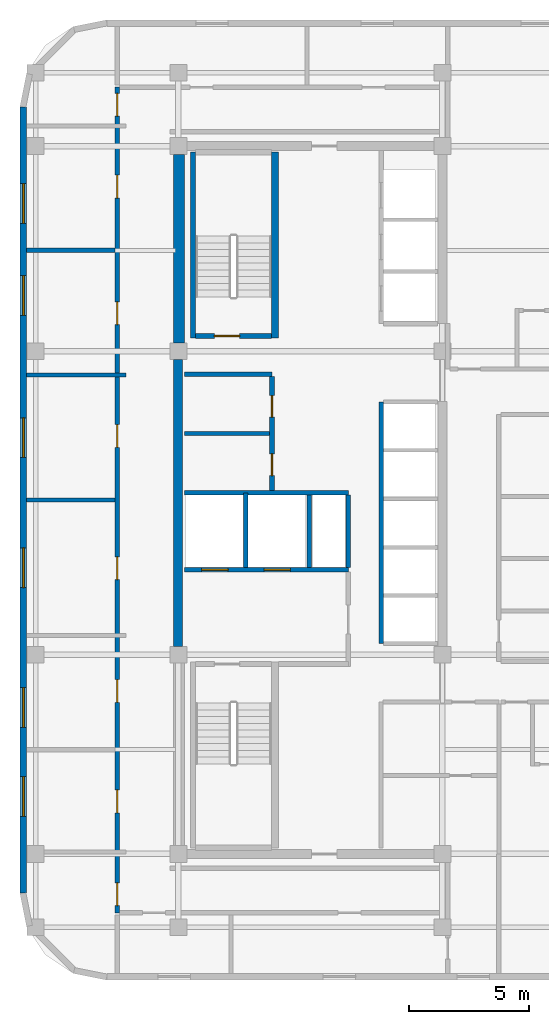
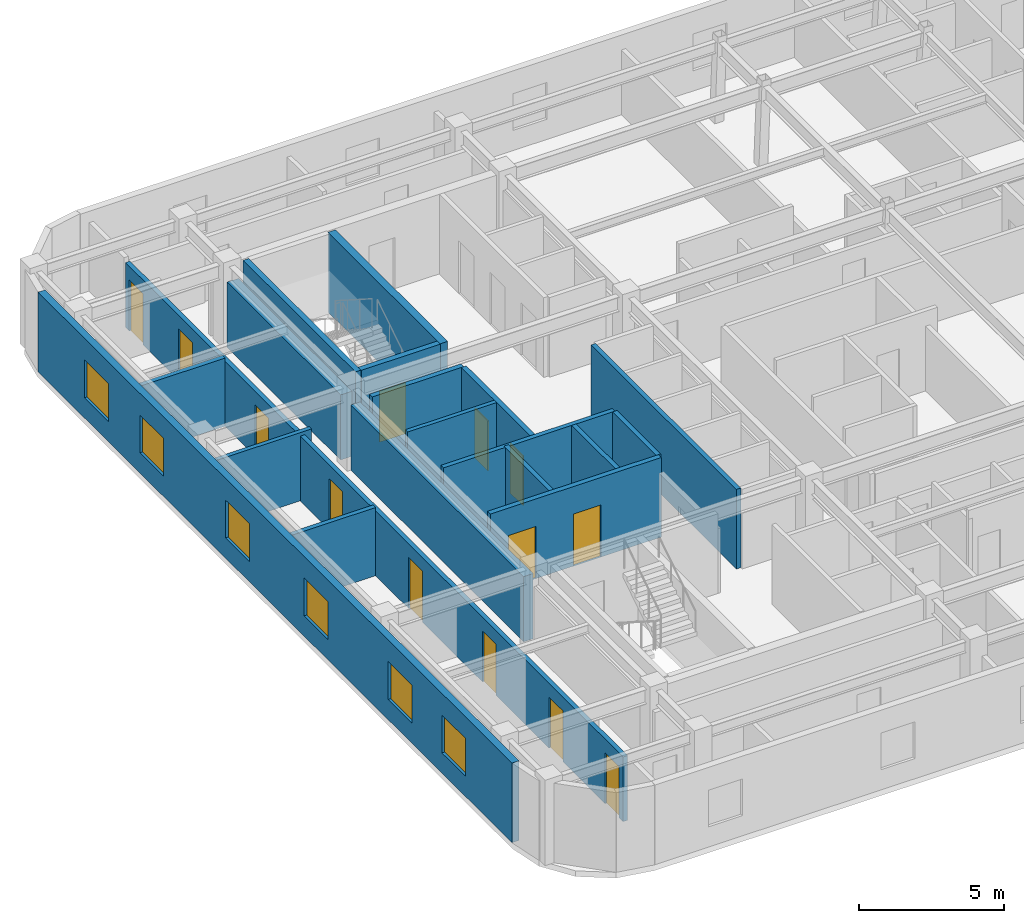
# One storey, part 4 of 8: 19 walls, 13 doors, 6 windows, 19 openings.
"""IFC4 building model written with IfcOpenShell, lengths in metres."""

from ifc_helpers import new_model, si_unit, direction, frame, frame_2d, origin, place, context, subcontext, project, spatial, rectangle, extrude, material, layer, layer_set, type_object, element, fill, save


model = new_model("IFC4")

# Units and contexts
model_context = context("Model", 3, precision=1e-05, world=origin(), true_north=direction((0.0, 1.0)))
body_context = subcontext(model_context, "Body", "Model", "MODEL_VIEW")
ifc_project = project(units=[si_unit("LENGTHUNIT", "METRE"), si_unit("AREAUNIT", "SQUARE_METRE"), si_unit("VOLUMEUNIT", "CUBIC_METRE"), si_unit("PLANEANGLEUNIT", "RADIAN"), si_unit("MASSUNIT", "GRAM", prefix="KILO")], contexts=[model_context])

# Site, building, storey
site_placement = place(None, origin())
site = spatial("IfcSite", under=ifc_project, at=site_placement, CompositionType="ELEMENT")
building_placement = place(site_placement, origin())
building = spatial("IfcBuilding", under=site, at=building_placement, Name="Ochreholt Gables", CompositionType="ELEMENT")
storey_placement = place(building_placement, frame((0.0, 0.0, 159.0)))
storey = spatial("IfcBuildingStorey", under=building, at=storey_placement, Name="L41", CompositionType="ELEMENT", Elevation=159.0)

# Walls
ifc_material_1 = material(Name="Concrete 50 MPa", Category="concrete")
ifc_layer_1 = layer(ifc_material_1, 0.3798828125, Name="Concrete 50 MPa")
ifc_layer_set_1 = layer_set([ifc_layer_1], Name="Concrete 50 MPa")
wall_type_1 = type_object("IfcWallType", Name="WALL-CSW-380", PredefinedType="SHEAR", material=ifc_layer_set_1)
wall_1_placement = place(storey_placement, frame((24.18994140625, 17.89990234375, 0.0), z_axis=(0.0, 0.0, 1.0), x_axis=(0.0, 1.0, 0.0)))
element("IfcWall", 1, at=wall_1_placement, inside=storey, type_object=wall_type_1, Name="L41 Core West Shear Wall WM", PredefinedType="SHEAR", context=body_context, shape_type="SweptSolid", body=[
    extrude(rectangle(XDim=11.9501953125, YDim=0.3798828125, at=frame_2d((5.97509765625, 0.0))), origin(), (0.0, 0.0, 1.0), 2.748046875),
])
ifc_material_2 = material(Name="Concrete 60 MPa", Category="concrete")
ifc_layer_2 = layer(ifc_material_2, 0.449951171875, Name="Concrete 60 MPa")
ifc_layer_set_2 = layer_set([ifc_layer_2], Name="Concrete 60 MPa")
wall_type_2 = type_object("IfcWallType", Name="WALL-CSW-450", PredefinedType="SHEAR", material=ifc_layer_set_2)
wall_2_placement = place(storey_placement, frame((24.22509765625, 30.550048828125, 0.0), z_axis=(0.0, 0.0, 1.0), x_axis=(0.0, 1.0, 0.0)))
element("IfcWall", 2, at=wall_2_placement, inside=storey, type_object=wall_type_2, Name="L41 Core West Shear Wall WN", PredefinedType="SHEAR", context=body_context, shape_type="SweptSolid", body=[
    extrude(rectangle(XDim=7.849853515625, YDim=0.449951171875, at=frame_2d((3.9248046875, 0.0))), origin(), (0.0, 0.0, 1.0), 2.748046875),
])

# Wall, openings, windows
ifc_material_3 = material(Name="Precast concrete 40 MPa", Category="concrete")
ifc_layer_3 = layer(ifc_material_3, 0.280029296875, Name="Precast concrete 40 MPa")
ifc_layer_set_3 = layer_set([ifc_layer_3], Name="Precast concrete 40 MPa")
wall_type_3 = type_object("IfcWallType", Name="WALL-EXT-280", PredefinedType="SOLIDWALL", material=ifc_layer_set_3)
wall_3_placement = place(storey_placement, frame((17.739990234375, 40.3798828125, 0.0), z_axis=(0.0, 0.0, 1.0), x_axis=(0.0, -1.0, 0.0)))
wall_3 = element("IfcWall", 3, at=wall_3_placement, inside=storey, type_object=wall_type_3, Name="L41 West Exterior Wall", PredefinedType="SOLIDWALL", context=body_context, shape_type="SweptSolid", body=[
    extrude(rectangle(XDim=32.759765625, YDim=0.280029296875, at=frame_2d((16.3798828125, 0.0))), origin(), (0.0, 0.0, 1.0), 3.360107421875),
])
opening_1_placement = place(wall_3_placement, frame((27.909912109375, 0.0, 0.85009765625)))
opening_1 = element("IfcOpeningElement", 4, at=opening_1_placement, cuts=wall_3, Name="Opening WN-7", PredefinedType="OPENING", context=body_context, shape_type="SweptSolid", body=[
    extrude(rectangle(XDim=1.64990234375, YDim=1.60009765625, at=frame_2d((0.824951171875, 0.800048828125))), frame((0.0, 0.14990234375, 0.0), z_axis=(0.0, -1.0, 0.0), x_axis=(1.0, 0.0, 0.0)), (0.0, 0.0, 1.0), 0.300048828125),
])
opening_2_placement = place(wall_3_placement, frame((24.199951171875, 0.0, 0.85009765625)))
opening_2 = element("IfcOpeningElement", 5, at=opening_2_placement, cuts=wall_3, Name="Opening WN-7", PredefinedType="OPENING", context=body_context, shape_type="SweptSolid", body=[
    extrude(rectangle(XDim=1.64990234375, YDim=1.60009765625, at=frame_2d((0.824951171875, 0.800048828125))), frame((0.0, 0.14990234375, 0.0), z_axis=(0.0, -1.0, 0.0), x_axis=(1.0, 0.0, 0.0)), (0.0, 0.0, 1.0), 0.300048828125),
])
opening_3_placement = place(wall_3_placement, frame((18.3798828125, 0.0, 0.85009765625)))
opening_3 = element("IfcOpeningElement", 6, at=opening_3_placement, cuts=wall_3, Name="Opening WN-7", PredefinedType="OPENING", context=body_context, shape_type="SweptSolid", body=[
    extrude(rectangle(XDim=1.64990234375, YDim=1.60009765625, at=frame_2d((0.824951171875, 0.800048828125))), frame((0.0, 0.14990234375, 0.0), z_axis=(0.0, -1.0, 0.0), x_axis=(1.0, 0.0, 0.0)), (0.0, 0.0, 1.0), 0.300048828125),
])
opening_4_placement = place(wall_3_placement, frame((12.955078125, 0.0, 0.85009765625)))
opening_4 = element("IfcOpeningElement", 7, at=opening_4_placement, cuts=wall_3, Name="Opening WN-7", PredefinedType="OPENING", context=body_context, shape_type="SweptSolid", body=[
    extrude(rectangle(XDim=1.64990234375, YDim=1.60009765625, at=frame_2d((0.824951171875, 0.800048828125))), frame((0.0, 0.14990234375, 0.0), z_axis=(0.0, -1.0, 0.0), x_axis=(1.0, 0.0, 0.0)), (0.0, 0.0, 1.0), 0.300048828125),
])
opening_5_placement = place(wall_3_placement, frame((7.034912109375, 0.0, 0.85009765625)))
opening_5 = element("IfcOpeningElement", 8, at=opening_5_placement, cuts=wall_3, Name="Opening WN-7", PredefinedType="OPENING", context=body_context, shape_type="SweptSolid", body=[
    extrude(rectangle(XDim=1.64990234375, YDim=1.60009765625, at=frame_2d((0.824951171875, 0.800048828125))), frame((0.0, 0.14990234375, 0.0), z_axis=(0.0, -1.0, 0.0), x_axis=(1.0, 0.0, 0.0)), (0.0, 0.0, 1.0), 0.300048828125),
])
opening_6_placement = place(wall_3_placement, frame((3.199951171875, 0.0, 0.85009765625)))
opening_6 = element("IfcOpeningElement", 9, at=opening_6_placement, cuts=wall_3, Name="Opening WN-7", PredefinedType="OPENING", context=body_context, shape_type="SweptSolid", body=[
    extrude(rectangle(XDim=1.64990234375, YDim=1.60009765625, at=frame_2d((0.824951171875, 0.800048828125))), frame((0.0, 0.14990234375, 0.0), z_axis=(0.0, -1.0, 0.0), x_axis=(1.0, 0.0, 0.0)), (0.0, 0.0, 1.0), 0.300048828125),
])
ifc_material_4 = material(Name="Triple-Glazed Thermally Broken Aluminium Window", Category="aluminium")
window_type = type_object("IfcWindowType", Name="WIN-RES-1650", PartitioningType="SINGLE_PANEL", PredefinedType="WINDOW", material=ifc_material_4)
window_1_placement = place(opening_1_placement, origin())
window_1 = element("IfcWindow", 10, at=window_1_placement, inside=storey, type_object=window_type, Name="L41 Window W-EXT-W-L41-1", OverallHeight=1.60009765625, OverallWidth=1.64990234375, PartitioningType="SINGLE_PANEL", PredefinedType="WINDOW", context=body_context, shape_type="SweptSolid", body=[
    extrude(rectangle(XDim=1.64990234375, YDim=1.60009765625, at=frame_2d((0.824951171875, 0.800048828125))), frame((0.0, 0.030029296875, 0.0), z_axis=(0.0, -1.0, 0.0), x_axis=(1.0, 0.0, 0.0)), (0.0, 0.0, 1.0), 0.06005859375),
])
fill(opening_1, window_1)
window_2_placement = place(opening_2_placement, origin())
window_2 = element("IfcWindow", 11, at=window_2_placement, inside=storey, type_object=window_type, Name="L41 Window W-EXT-W-L41-2", OverallHeight=1.60009765625, OverallWidth=1.64990234375, PartitioningType="SINGLE_PANEL", PredefinedType="WINDOW", context=body_context, shape_type="SweptSolid", body=[
    extrude(rectangle(XDim=1.64990234375, YDim=1.60009765625, at=frame_2d((0.824951171875, 0.800048828125))), frame((0.0, 0.030029296875, 0.0), z_axis=(0.0, -1.0, 0.0), x_axis=(1.0, 0.0, 0.0)), (0.0, 0.0, 1.0), 0.06005859375),
])
fill(opening_2, window_2)
window_3_placement = place(opening_3_placement, origin())
window_3 = element("IfcWindow", 12, at=window_3_placement, inside=storey, type_object=window_type, Name="L41 Window W-EXT-W-L41-3", OverallHeight=1.60009765625, OverallWidth=1.64990234375, PartitioningType="SINGLE_PANEL", PredefinedType="WINDOW", context=body_context, shape_type="SweptSolid", body=[
    extrude(rectangle(XDim=1.64990234375, YDim=1.60009765625, at=frame_2d((0.824951171875, 0.800048828125))), frame((0.0, 0.030029296875, 0.0), z_axis=(0.0, -1.0, 0.0), x_axis=(1.0, 0.0, 0.0)), (0.0, 0.0, 1.0), 0.06005859375),
])
fill(opening_3, window_3)
window_4_placement = place(opening_4_placement, origin())
window_4 = element("IfcWindow", 13, at=window_4_placement, inside=storey, type_object=window_type, Name="L41 Window W-EXT-W-L41-4", OverallHeight=1.60009765625, OverallWidth=1.64990234375, PartitioningType="SINGLE_PANEL", PredefinedType="WINDOW", context=body_context, shape_type="SweptSolid", body=[
    extrude(rectangle(XDim=1.64990234375, YDim=1.60009765625, at=frame_2d((0.824951171875, 0.800048828125))), frame((0.0, 0.030029296875, 0.0), z_axis=(0.0, -1.0, 0.0), x_axis=(1.0, 0.0, 0.0)), (0.0, 0.0, 1.0), 0.06005859375),
])
fill(opening_4, window_4)
window_5_placement = place(opening_5_placement, origin())
window_5 = element("IfcWindow", 14, at=window_5_placement, inside=storey, type_object=window_type, Name="L41 Window W-EXT-W-L41-5", OverallHeight=1.60009765625, OverallWidth=1.64990234375, PartitioningType="SINGLE_PANEL", PredefinedType="WINDOW", context=body_context, shape_type="SweptSolid", body=[
    extrude(rectangle(XDim=1.64990234375, YDim=1.60009765625, at=frame_2d((0.824951171875, 0.800048828125))), frame((0.0, 0.030029296875, 0.0), z_axis=(0.0, -1.0, 0.0), x_axis=(1.0, 0.0, 0.0)), (0.0, 0.0, 1.0), 0.06005859375),
])
fill(opening_5, window_5)
window_6_placement = place(opening_6_placement, origin())
window_6 = element("IfcWindow", 15, at=window_6_placement, inside=storey, type_object=window_type, Name="L41 Window W-EXT-W-L41-6", OverallHeight=1.60009765625, OverallWidth=1.64990234375, PartitioningType="SINGLE_PANEL", PredefinedType="WINDOW", context=body_context, shape_type="SweptSolid", body=[
    extrude(rectangle(XDim=1.64990234375, YDim=1.60009765625, at=frame_2d((0.824951171875, 0.800048828125))), frame((0.0, 0.030029296875, 0.0), z_axis=(0.0, -1.0, 0.0), x_axis=(1.0, 0.0, 0.0)), (0.0, 0.0, 1.0), 0.06005859375),
])
fill(opening_6, window_6)

# Wall, openings, doors
ifc_material_5 = material(Name="Concrete 40 MPa", Category="concrete")
ifc_layer_4 = layer(ifc_material_5, 0.199951171875, Name="Concrete 40 MPa")
ifc_layer_set_4 = layer_set([ifc_layer_4], Name="Concrete 40 MPa")
wall_type_4 = type_object("IfcWallType", Name="WALL-INT-CF200", PredefinedType="STANDARD", material=ifc_layer_set_4)
wall_4_placement = place(storey_placement, frame((24.449951171875, 21.090087890625, 0.0), z_axis=(0.0, 0.0, 1.0), x_axis=(1.0, 0.0, 0.0)))
wall_4 = element("IfcWall", 16, at=wall_4_placement, inside=storey, type_object=wall_type_4, Name="L41 Interior Wall WI-FFN-L41", PredefinedType="STANDARD", context=body_context, shape_type="SweptSolid", body=[
    extrude(rectangle(XDim=6.830078125, YDim=0.199951171875, at=frame_2d((3.4150390625, 0.0))), origin(), (0.0, 0.0, 1.0), 3.360107421875),
])
opening_7_placement = place(wall_4_placement, frame((0.719970703125, 0.0, 0.0)))
opening_7 = element("IfcOpeningElement", 17, at=opening_7_placement, cuts=wall_4, Name="Opening LD-FF", PredefinedType="OPENING", context=body_context, shape_type="SweptSolid", body=[
    extrude(rectangle(XDim=1.10009765625, YDim=2.199951171875, at=frame_2d((0.550048828125, 1.10009765625))), frame((0.0, 0.10986328125, 0.0), z_axis=(0.0, -1.0, 0.0), x_axis=(1.0, 0.0, 0.0)), (0.0, 0.0, 1.0), 0.219970703125),
])
opening_8_placement = place(wall_4_placement, frame((3.320068359375, 0.0, 0.0)))
opening_8 = element("IfcOpeningElement", 18, at=opening_8_placement, cuts=wall_4, Name="Opening LD-FF", PredefinedType="OPENING", context=body_context, shape_type="SweptSolid", body=[
    extrude(rectangle(XDim=1.10009765625, YDim=2.199951171875, at=frame_2d((0.550048828125, 1.10009765625))), frame((0.0, 0.10986328125, 0.0), z_axis=(0.0, -1.0, 0.0), x_axis=(1.0, 0.0, 0.0)), (0.0, 0.0, 1.0), 0.219970703125),
])
ifc_material_6 = material(Name="Stainless Steel", Category="steel")
door_type_1 = type_object("IfcDoorType", Name="DR-LFT-FF1100", OperationType="NOTDEFINED", PredefinedType="DOOR", material=ifc_material_6)
door_1_placement = place(opening_7_placement, origin())
door_1 = element("IfcDoor", 19, at=door_1_placement, inside=storey, type_object=door_type_1, Name="L41 Door LD-FF1-L41", OperationType="SLIDING_TO_LEFT", OverallHeight=2.199951171875, OverallWidth=1.10009765625, PredefinedType="DOOR", context=body_context, shape_type="SweptSolid", body=[
    extrude(rectangle(XDim=1.10009765625, YDim=2.199951171875, at=frame_2d((0.550048828125, 1.10009765625))), frame((0.0, 0.02490234375, 0.0), z_axis=(0.0, -1.0, 0.0), x_axis=(1.0, 0.0, 0.0)), (0.0, 0.0, 1.0), 0.050048828125),
])
fill(opening_7, door_1)
door_2_placement = place(opening_8_placement, origin())
door_2 = element("IfcDoor", 20, at=door_2_placement, inside=storey, type_object=door_type_1, Name="L41 Door LD-FF2-L41", OperationType="SLIDING_TO_LEFT", OverallHeight=2.199951171875, OverallWidth=1.10009765625, PredefinedType="DOOR", context=body_context, shape_type="SweptSolid", body=[
    extrude(rectangle(XDim=1.10009765625, YDim=2.199951171875, at=frame_2d((0.550048828125, 1.10009765625))), frame((0.0, 0.02490234375, 0.0), z_axis=(0.0, -1.0, 0.0), x_axis=(1.0, 0.0, 0.0)), (0.0, 0.0, 1.0), 0.050048828125),
])
fill(opening_8, door_2)

# Wall
wall_5_placement = place(storey_placement, frame((24.449951171875, 29.239990234375, 0.0), z_axis=(0.0, 0.0, 1.0), x_axis=(1.0, 0.0, 0.0)))
element("IfcWall", 21, at=wall_5_placement, inside=storey, type_object=wall_type_4, Name="L41 Interior Wall WI-SRVN-L41", PredefinedType="STANDARD", context=body_context, shape_type="SweptSolid", body=[
    extrude(rectangle(XDim=3.650146484375, YDim=0.199951171875, at=frame_2d((1.8251953125, 0.0))), origin(), (0.0, 0.0, 1.0), 3.360107421875),
])

# Wall, openings, doors
wall_6_placement = place(storey_placement, frame((28.10009765625, 24.389892578125, 0.0), z_axis=(0.0, 0.0, 1.0), x_axis=(0.0, 1.0, 0.0)))
wall_6 = element("IfcWall", 22, at=wall_6_placement, inside=storey, type_object=wall_type_4, Name="L41 Interior Wall WI-SRVE-L41", PredefinedType="STANDARD", context=body_context, shape_type="SweptSolid", body=[
    extrude(rectangle(XDim=4.75, YDim=0.199951171875, at=frame_2d((2.375, 0.0))), origin(), (0.0, 0.0, 1.0), 3.360107421875),
])
opening_9_placement = place(wall_6_placement, frame((0.6298828125, 0.0, 0.0)))
opening_9 = element("IfcOpeningElement", 23, at=opening_9_placement, cuts=wall_6, Name="Opening D-SV1", PredefinedType="OPENING", context=body_context, shape_type="SweptSolid", body=[
    extrude(rectangle(XDim=0.89990234375, YDim=2.10009765625, at=frame_2d((0.449951171875, 1.050048828125))), frame((0.0, 0.10986328125, 0.0), z_axis=(0.0, -1.0, 0.0), x_axis=(1.0, 0.0, 0.0)), (0.0, 0.0, 1.0), 0.219970703125),
])
opening_10_placement = place(wall_6_placement, frame((3.06005859375, 0.0, 0.0)))
opening_10 = element("IfcOpeningElement", 24, at=opening_10_placement, cuts=wall_6, Name="Opening D-SV1", PredefinedType="OPENING", context=body_context, shape_type="SweptSolid", body=[
    extrude(rectangle(XDim=0.89990234375, YDim=2.10009765625, at=frame_2d((0.449951171875, 1.050048828125))), frame((0.0, 0.10986328125, 0.0), z_axis=(0.0, -1.0, 0.0), x_axis=(1.0, 0.0, 0.0)), (0.0, 0.0, 1.0), 0.219970703125),
])
ifc_material_7 = material(Name="Hollow Metal Steel", Category="steel")
door_type_2 = type_object("IfcDoorType", Name="DR-INT-SRV900", OperationType="NOTDEFINED", PredefinedType="DOOR", material=ifc_material_7)
door_3_placement = place(opening_9_placement, origin())
door_3 = element("IfcDoor", 25, at=door_3_placement, inside=storey, type_object=door_type_2, Name="L41 Door D-SRV1-L41", OperationType="SINGLE_SWING_LEFT", OverallHeight=2.10009765625, OverallWidth=0.89990234375, PredefinedType="DOOR", context=body_context, shape_type="SweptSolid", body=[
    extrude(rectangle(XDim=0.89990234375, YDim=2.10009765625, at=frame_2d((0.449951171875, 1.050048828125))), frame((0.0, 0.02490234375, 0.0), z_axis=(0.0, -1.0, 0.0), x_axis=(1.0, 0.0, 0.0)), (0.0, 0.0, 1.0), 0.050048828125),
])
fill(opening_9, door_3)
door_4_placement = place(opening_10_placement, origin())
door_4 = element("IfcDoor", 26, at=door_4_placement, inside=storey, type_object=door_type_2, Name="L41 Door D-SRV2-L41", OperationType="SINGLE_SWING_RIGHT", OverallHeight=2.10009765625, OverallWidth=0.89990234375, PredefinedType="DOOR", context=body_context, shape_type="SweptSolid", body=[
    extrude(rectangle(XDim=0.89990234375, YDim=2.10009765625, at=frame_2d((0.449951171875, 1.050048828125))), frame((0.0, 0.02490234375, 0.0), z_axis=(0.0, -1.0, 0.0), x_axis=(1.0, 0.0, 0.0)), (0.0, 0.0, 1.0), 0.050048828125),
])
fill(opening_10, door_4)

ifc_material_8 = material(Name="Fire-Rated Gypsum Acoustic Partition", Category="gypsum")
ifc_layer_5 = layer(ifc_material_8, 0.179931640625, Name="Fire-Rated Gypsum Acoustic Partition")
ifc_layer_set_5 = layer_set([ifc_layer_5], Name="Fire-Rated Gypsum Acoustic Partition")
wall_type_5 = type_object("IfcWallType", Name="WALL-INT-CR180", PredefinedType="STANDARD", material=ifc_layer_set_5)
wall_7_placement = place(storey_placement, frame((21.64990234375, 6.800048828125, 0.0), z_axis=(0.0, 0.0, 1.0), x_axis=(0.0, 1.0, 0.0)))
wall_7 = element("IfcWall", 27, at=wall_7_placement, inside=storey, type_object=wall_type_5, Name="L41 Interior Wall WI-C2WCW-L41", PredefinedType="STANDARD", context=body_context, shape_type="SweptSolid", body=[
    extrude(rectangle(XDim=34.39990234375, YDim=0.179931640625, at=frame_2d((17.199951171875, 0.0))), origin(), (0.0, 0.0, 1.0), 2.72998046875),
])
opening_11_placement = place(wall_7_placement, frame((0.300048828125, 0.0, 0.0)))
opening_11 = element("IfcOpeningElement", 28, at=opening_11_placement, cuts=wall_7, Name="Opening D-GN1", PredefinedType="OPENING", context=body_context, shape_type="SweptSolid", body=[
    extrude(rectangle(XDim=0.949951171875, YDim=2.14990234375, at=frame_2d((0.47509765625, 1.074951171875))), frame((0.0, 0.099853515625, 0.0), z_axis=(0.0, -1.0, 0.0), x_axis=(1.0, 0.0, 0.0)), (0.0, 0.0, 1.0), 0.199951171875),
])
opening_12_placement = place(wall_7_placement, frame((4.16748046875, 0.0, 0.0)))
opening_12 = element("IfcOpeningElement", 29, at=opening_12_placement, cuts=wall_7, Name="Opening D-GN1", PredefinedType="OPENING", context=body_context, shape_type="SweptSolid", body=[
    extrude(rectangle(XDim=0.949951171875, YDim=2.14990234375, at=frame_2d((0.47509765625, 1.074951171875))), frame((0.0, 0.099853515625, 0.0), z_axis=(0.0, -1.0, 0.0), x_axis=(1.0, 0.0, 0.0)), (0.0, 0.0, 1.0), 0.199951171875),
])
opening_13_placement = place(wall_7_placement, frame((8.77001953125, 0.0, 0.0)))
opening_13 = element("IfcOpeningElement", 30, at=opening_13_placement, cuts=wall_7, Name="Opening D-GN1", PredefinedType="OPENING", context=body_context, shape_type="SweptSolid", body=[
    extrude(rectangle(XDim=0.949951171875, YDim=2.14990234375, at=frame_2d((0.47509765625, 1.074951171875))), frame((0.0, 0.099853515625, 0.0), z_axis=(0.0, -1.0, 0.0), x_axis=(1.0, 0.0, 0.0)), (0.0, 0.0, 1.0), 0.199951171875),
])
opening_14_placement = place(wall_7_placement, frame((13.8798828125, 0.0, 0.0)))
opening_14 = element("IfcOpeningElement", 31, at=opening_14_placement, cuts=wall_7, Name="Opening D-GN1", PredefinedType="OPENING", context=body_context, shape_type="SweptSolid", body=[
    extrude(rectangle(XDim=0.949951171875, YDim=2.14990234375, at=frame_2d((0.47509765625, 1.074951171875))), frame((0.0, 0.099853515625, 0.0), z_axis=(0.0, -1.0, 0.0), x_axis=(1.0, 0.0, 0.0)), (0.0, 0.0, 1.0), 0.199951171875),
])
opening_15_placement = place(wall_7_placement, frame((19.39501953125, 0.0, 0.0)))
opening_15 = element("IfcOpeningElement", 32, at=opening_15_placement, cuts=wall_7, Name="Opening D-GN1", PredefinedType="OPENING", context=body_context, shape_type="SweptSolid", body=[
    extrude(rectangle(XDim=0.949951171875, YDim=2.14990234375, at=frame_2d((0.47509765625, 1.074951171875))), frame((0.0, 0.099853515625, 0.0), z_axis=(0.0, -1.0, 0.0), x_axis=(1.0, 0.0, 0.0)), (0.0, 0.0, 1.0), 0.199951171875),
])
opening_16_placement = place(wall_7_placement, frame((24.5048828125, 0.0, 0.0)))
opening_16 = element("IfcOpeningElement", 33, at=opening_16_placement, cuts=wall_7, Name="Opening D-GN1", PredefinedType="OPENING", context=body_context, shape_type="SweptSolid", body=[
    extrude(rectangle(XDim=0.949951171875, YDim=2.14990234375, at=frame_2d((0.47509765625, 1.074951171875))), frame((0.0, 0.099853515625, 0.0), z_axis=(0.0, -1.0, 0.0), x_axis=(1.0, 0.0, 0.0)), (0.0, 0.0, 1.0), 0.199951171875),
])
opening_17_placement = place(wall_7_placement, frame((29.782470703125, 0.0, 0.0)))
opening_17 = element("IfcOpeningElement", 34, at=opening_17_placement, cuts=wall_7, Name="Opening D-GN1", PredefinedType="OPENING", context=body_context, shape_type="SweptSolid", body=[
    extrude(rectangle(XDim=0.949951171875, YDim=2.14990234375, at=frame_2d((0.47509765625, 1.074951171875))), frame((0.0, 0.099853515625, 0.0), z_axis=(0.0, -1.0, 0.0), x_axis=(1.0, 0.0, 0.0)), (0.0, 0.0, 1.0), 0.199951171875),
])
opening_18_placement = place(wall_7_placement, frame((33.18994140625, 0.0, 0.0)))
opening_18 = element("IfcOpeningElement", 35, at=opening_18_placement, cuts=wall_7, Name="Opening D-GN1", PredefinedType="OPENING", context=body_context, shape_type="SweptSolid", body=[
    extrude(rectangle(XDim=0.949951171875, YDim=2.14990234375, at=frame_2d((0.47509765625, 1.074951171875))), frame((0.0, 0.099853515625, 0.0), z_axis=(0.0, -1.0, 0.0), x_axis=(1.0, 0.0, 0.0)), (0.0, 0.0, 1.0), 0.199951171875),
])
ifc_material_9 = material(Name="Engineered Oak Timber", Category="wood")
door_type_3 = type_object("IfcDoorType", Name="DR-INT-GEN950", OperationType="NOTDEFINED", PredefinedType="DOOR", material=ifc_material_9)
door_5_placement = place(opening_11_placement, origin())
door_5 = element("IfcDoor", 36, at=door_5_placement, inside=storey, type_object=door_type_3, Name="L41 Door D-U-L41W1A-ENT", OperationType="SINGLE_SWING_LEFT", OverallHeight=2.14990234375, OverallWidth=0.949951171875, PredefinedType="DOOR", context=body_context, shape_type="SweptSolid", body=[
    extrude(rectangle(XDim=0.949951171875, YDim=2.14990234375, at=frame_2d((0.47509765625, 1.074951171875))), frame((0.0, 0.02490234375, 0.0), z_axis=(0.0, -1.0, 0.0), x_axis=(1.0, 0.0, 0.0)), (0.0, 0.0, 1.0), 0.050048828125),
])
fill(opening_11, door_5)
door_6_placement = place(opening_12_placement, origin())
door_6 = element("IfcDoor", 37, at=door_6_placement, inside=storey, type_object=door_type_3, Name="L41 Door D-U-L41W1B-ENT", OperationType="SINGLE_SWING_RIGHT", OverallHeight=2.14990234375, OverallWidth=0.949951171875, PredefinedType="DOOR", context=body_context, shape_type="SweptSolid", body=[
    extrude(rectangle(XDim=0.949951171875, YDim=2.14990234375, at=frame_2d((0.47509765625, 1.074951171875))), frame((0.0, 0.02490234375, 0.0), z_axis=(0.0, -1.0, 0.0), x_axis=(1.0, 0.0, 0.0)), (0.0, 0.0, 1.0), 0.050048828125),
])
fill(opening_12, door_6)
door_7_placement = place(opening_13_placement, origin())
door_7 = element("IfcDoor", 38, at=door_7_placement, inside=storey, type_object=door_type_3, Name="L41 Door D-U-L41W2A-ENT", OperationType="SINGLE_SWING_RIGHT", OverallHeight=2.14990234375, OverallWidth=0.949951171875, PredefinedType="DOOR", context=body_context, shape_type="SweptSolid", body=[
    extrude(rectangle(XDim=0.949951171875, YDim=2.14990234375, at=frame_2d((0.47509765625, 1.074951171875))), frame((0.0, 0.02490234375, 0.0), z_axis=(0.0, -1.0, 0.0), x_axis=(1.0, 0.0, 0.0)), (0.0, 0.0, 1.0), 0.050048828125),
])
fill(opening_13, door_7)
door_8_placement = place(opening_14_placement, origin())
door_8 = element("IfcDoor", 39, at=door_8_placement, inside=storey, type_object=door_type_3, Name="L41 Door D-U-L41W2B-ENT", OperationType="SINGLE_SWING_LEFT", OverallHeight=2.14990234375, OverallWidth=0.949951171875, PredefinedType="DOOR", context=body_context, shape_type="SweptSolid", body=[
    extrude(rectangle(XDim=0.949951171875, YDim=2.14990234375, at=frame_2d((0.47509765625, 1.074951171875))), frame((0.0, 0.02490234375, 0.0), z_axis=(0.0, -1.0, 0.0), x_axis=(1.0, 0.0, 0.0)), (0.0, 0.0, 1.0), 0.050048828125),
])
fill(opening_14, door_8)
door_9_placement = place(opening_15_placement, origin())
door_9 = element("IfcDoor", 40, at=door_9_placement, inside=storey, type_object=door_type_3, Name="L41 Door D-U-L41W3A-ENT", OperationType="SINGLE_SWING_LEFT", OverallHeight=2.14990234375, OverallWidth=0.949951171875, PredefinedType="DOOR", context=body_context, shape_type="SweptSolid", body=[
    extrude(rectangle(XDim=0.949951171875, YDim=2.14990234375, at=frame_2d((0.47509765625, 1.074951171875))), frame((0.0, 0.02490234375, 0.0), z_axis=(0.0, -1.0, 0.0), x_axis=(1.0, 0.0, 0.0)), (0.0, 0.0, 1.0), 0.050048828125),
])
fill(opening_15, door_9)
door_10_placement = place(opening_16_placement, origin())
door_10 = element("IfcDoor", 41, at=door_10_placement, inside=storey, type_object=door_type_3, Name="L41 Door D-U-L41W3B-ENT", OperationType="SINGLE_SWING_RIGHT", OverallHeight=2.14990234375, OverallWidth=0.949951171875, PredefinedType="DOOR", context=body_context, shape_type="SweptSolid", body=[
    extrude(rectangle(XDim=0.949951171875, YDim=2.14990234375, at=frame_2d((0.47509765625, 1.074951171875))), frame((0.0, 0.02490234375, 0.0), z_axis=(0.0, -1.0, 0.0), x_axis=(1.0, 0.0, 0.0)), (0.0, 0.0, 1.0), 0.050048828125),
])
fill(opening_16, door_10)
door_11_placement = place(opening_17_placement, origin())
door_11 = element("IfcDoor", 42, at=door_11_placement, inside=storey, type_object=door_type_3, Name="L41 Door D-U-L41W4A-ENT", OperationType="SINGLE_SWING_RIGHT", OverallHeight=2.14990234375, OverallWidth=0.949951171875, PredefinedType="DOOR", context=body_context, shape_type="SweptSolid", body=[
    extrude(rectangle(XDim=0.949951171875, YDim=2.14990234375, at=frame_2d((0.47509765625, 1.074951171875))), frame((0.0, 0.02490234375, 0.0), z_axis=(0.0, -1.0, 0.0), x_axis=(1.0, 0.0, 0.0)), (0.0, 0.0, 1.0), 0.050048828125),
])
fill(opening_17, door_11)
door_12_placement = place(opening_18_placement, origin())
door_12 = element("IfcDoor", 43, at=door_12_placement, inside=storey, type_object=door_type_3, Name="L41 Door D-U-L41W4B-ENT", OperationType="SINGLE_SWING_LEFT", OverallHeight=2.14990234375, OverallWidth=0.949951171875, PredefinedType="DOOR", context=body_context, shape_type="SweptSolid", body=[
    extrude(rectangle(XDim=0.949951171875, YDim=2.14990234375, at=frame_2d((0.47509765625, 1.074951171875))), frame((0.0, 0.02490234375, 0.0), z_axis=(0.0, -1.0, 0.0), x_axis=(1.0, 0.0, 0.0)), (0.0, 0.0, 1.0), 0.050048828125),
])
fill(opening_18, door_12)

# Walls
ifc_material_10 = material(Name="Double-Stud Acoustic Demising Wall", Category="gypsum")
ifc_layer_6 = layer(ifc_material_10, 0.179931640625, Name="Double-Stud Acoustic Demising Wall")
ifc_layer_set_6 = layer_set([ifc_layer_6], Name="Double-Stud Acoustic Demising Wall")
wall_type_6 = type_object("IfcWallType", Name="WALL-INT-DM180", PredefinedType="PARTITIONING", material=ifc_layer_set_6)
for number, where, z_axis, x_axis, name in (
    (44, (17.8798828125, 24.0, 0.0), (0.0, 0.0, 1.0), (1.0, 0.0, 0.0), "L41 Interior Wall WI-C2UDW3-L41"),
    (45, (17.8798828125, 34.39990234375, 0.0), (0.0, 0.0, 1.0), (1.0, 0.0, 0.0), "L41 Interior Wall WI-C2UDW4-L41"),
):
    element("IfcWall", number, at=place(storey_placement, frame(where, z_axis=z_axis, x_axis=x_axis)), inside=storey, type_object=wall_type_6, Name=name, PredefinedType="PARTITIONING", context=body_context, shape_type="SweptSolid", body=[
        extrude(rectangle(XDim=3.68017578125, YDim=0.179931640625, at=frame_2d((1.840087890625, 0.0))), origin(), (0.0, 0.0, 1.0), 2.87890625),
    ])
ifc_material_11 = material(Name="Gypsum Acoustic Stud Partition", Category="gypsum")
ifc_layer_7 = layer(ifc_material_11, 0.1650390625, Name="Gypsum Acoustic Stud Partition")
ifc_layer_set_7 = layer_set([ifc_layer_7], Name="Gypsum Acoustic Stud Partition")
wall_type_7 = type_object("IfcWallType", Name="WALL-INT-PT165", PredefinedType="PARTITIONING", material=ifc_layer_set_7)
wall_8_placement = place(storey_placement, frame((24.449951171875, 26.780029296875, 0.0), z_axis=(0.0, 0.0, 1.0), x_axis=(1.0, 0.0, 0.0)))
element("IfcWall", 46, at=wall_8_placement, inside=storey, type_object=wall_type_7, Name="L41 Interior Wall WI-SRVP1-L41", PredefinedType="PARTITIONING", context=body_context, shape_type="SweptSolid", body=[
    extrude(rectangle(XDim=3.550048828125, YDim=0.1650390625, at=frame_2d((1.77490234375, 0.0))), origin(), (0.0, 0.0, 1.0), 3.360107421875),
])
wall_9_placement = place(storey_placement, frame((17.8798828125, 29.199951171875, 0.0), z_axis=(0.0, 0.0, 1.0), x_axis=(1.0, 0.0, 0.0)))
element("IfcWall", 47, at=wall_9_placement, inside=storey, type_object=wall_type_7, Name="L41 Interior Wall WU-L41W3-SDV", PredefinedType="PARTITIONING", context=body_context, shape_type="SweptSolid", body=[
    extrude(rectangle(XDim=4.130126953125, YDim=0.1650390625, at=frame_2d((2.06494140625, 0.0))), origin(), (0.0, 0.0, 1.0), 2.87890625),
])
ifc_material_12 = material(Name="Gypsum Shaftliner and Steel Stud", Category="steel")
ifc_layer_8 = layer(ifc_material_12, 0.179931640625, Name="Gypsum Shaftliner and Steel Stud")
ifc_layer_set_8 = layer_set([ifc_layer_8], Name="Gypsum Shaftliner and Steel Stud")
wall_type_8 = type_object("IfcWallType", Name="WALL-INT-SH180", PredefinedType="STANDARD", material=ifc_layer_set_8)
wall_10_placement = place(storey_placement, frame((27.0, 21.18994140625, 0.0), z_axis=(0.0, 0.0, 1.0), x_axis=(0.0, 1.0, 0.0)))
element("IfcWall", 48, at=wall_10_placement, inside=storey, type_object=wall_type_8, Name="L41 Interior Wall WI-FFDIV-L41", PredefinedType="STANDARD", context=body_context, shape_type="SweptSolid", body=[
    extrude(rectangle(XDim=3.110107421875, YDim=0.179931640625, at=frame_2d((1.55517578125, 0.0))), origin(), (0.0, 0.0, 1.0), 3.360107421875),
])
wall_11_placement = place(storey_placement, frame((24.449951171875, 24.300048828125, 0.0), z_axis=(0.0, 0.0, 1.0), x_axis=(1.0, 0.0, 0.0)))
element("IfcWall", 49, at=wall_11_placement, inside=storey, type_object=wall_type_8, Name="L41 Interior Wall WI-FFBK-L41", PredefinedType="STANDARD", context=body_context, shape_type="SweptSolid", body=[
    extrude(rectangle(XDim=6.830078125, YDim=0.179931640625, at=frame_2d((3.4150390625, 0.0))), origin(), (0.0, 0.0, 1.0), 3.360107421875),
])
for number, where, z_axis, x_axis, name in (
    (50, (29.64990234375, 21.18994140625, 0.0), (0.0, 0.0, 1.0), (0.0, 1.0, 0.0), "L41 Interior Wall WI-FFSH-L41"),
    (51, (31.280029296875, 21.18994140625, 0.0), (0.0, 0.0, 1.0), (0.0, 1.0, 0.0), "L41 Interior Wall WI-RSE-L41"),
):
    element("IfcWall", number, at=place(storey_placement, frame(where, z_axis=z_axis, x_axis=x_axis)), inside=storey, type_object=wall_type_8, Name=name, PredefinedType="STANDARD", context=body_context, shape_type="SweptSolid", body=[
        extrude(rectangle(XDim=3.02001953125, YDim=0.179931640625, at=frame_2d((1.510009765625, 0.0))), origin(), (0.0, 0.0, 1.0), 3.360107421875),
    ])
wall_12_placement = place(storey_placement, frame((32.64990234375, 18.02001953125, 0.0), z_axis=(0.0, 0.0, 1.0), x_axis=(0.0, 1.0, 0.0)))
element("IfcWall", 52, at=wall_12_placement, inside=storey, type_object=wall_type_8, Name="L41 Interior Wall WI-LFHE-FR-L41", PredefinedType="STANDARD", context=body_context, shape_type="SweptSolid", body=[
    extrude(rectangle(XDim=10.06005859375, YDim=0.179931640625, at=frame_2d((5.030029296875, 0.0))), origin(), (0.0, 0.0, 1.0), 3.360107421875),
])
ifc_layer_9 = layer(ifc_material_2, 0.300048828125, Name="Concrete 60 MPa")
ifc_layer_set_9 = layer_set([ifc_layer_9], Name="Concrete 60 MPa")
wall_type_9 = type_object("IfcWallType", Name="WALL-SPN-300", PredefinedType="SHEAR", material=ifc_layer_set_9)
wall_13_placement = place(storey_placement, frame((28.22998046875, 30.739990234375, 0.0), z_axis=(0.0, 0.0, 1.0), x_axis=(0.0, 1.0, 0.0)))
element("IfcWall", 53, at=wall_13_placement, inside=storey, type_object=wall_type_9, Name="L41 Core North Spine Shear Wall", PredefinedType="SHEAR", context=body_context, shape_type="SweptSolid", body=[
    extrude(rectangle(XDim=7.760009765625, YDim=0.300048828125, at=frame_2d((3.8798828125, 0.0))), origin(), (0.0, 0.0, 1.0), 3.360107421875),
])
ifc_layer_10 = layer(ifc_material_1, 0.219970703125, Name="Concrete 50 MPa")
ifc_layer_set_10 = layer_set([ifc_layer_10], Name="Concrete 50 MPa")
wall_type_10 = type_object("IfcWallType", Name="WALL-STW-220", PredefinedType="SHEAR", material=ifc_layer_set_10)
wall_14_placement = place(storey_placement, frame((24.81005859375, 30.739990234375, 0.0), z_axis=(0.0, 0.0, 1.0), x_axis=(0.0, 1.0, 0.0)))
element("IfcWall", 54, at=wall_14_placement, inside=storey, type_object=wall_type_10, Name="L41 Exit Stair 2 West Wall", PredefinedType="SHEAR", context=body_context, shape_type="SweptSolid", body=[
    extrude(rectangle(XDim=7.760009765625, YDim=0.219970703125, at=frame_2d((3.8798828125, 0.0))), origin(), (0.0, 0.0, 1.0), 3.360107421875),
])

# Wall, opening, door
wall_15_placement = place(storey_placement, frame((24.919921875, 30.830078125, 0.0), z_axis=(0.0, 0.0, 1.0), x_axis=(1.0, 0.0, 0.0)))
wall_15 = element("IfcWall", 55, at=wall_15_placement, inside=storey, type_object=wall_type_10, Name="L41 Exit Stair 2 South Wall", PredefinedType="SHEAR", context=body_context, shape_type="SweptSolid", body=[
    extrude(rectangle(XDim=3.16015625, YDim=0.219970703125, at=frame_2d((1.580078125, 0.0))), origin(), (0.0, 0.0, 1.0), 3.360107421875),
])
opening_19_placement = place(wall_15_placement, frame((0.780029296875, 0.0, 0.0)))
opening_19 = element("IfcOpeningElement", 56, at=opening_19_placement, cuts=wall_15, Name="Opening D-STC", PredefinedType="OPENING", context=body_context, shape_type="SweptSolid", body=[
    extrude(rectangle(XDim=1.050048828125, YDim=2.14990234375, at=frame_2d((0.52490234375, 1.074951171875))), frame((0.0, 0.119873046875, 0.0), z_axis=(0.0, -1.0, 0.0), x_axis=(1.0, 0.0, 0.0)), (0.0, 0.0, 1.0), 0.239990234375),
])
door_type_4 = type_object("IfcDoorType", Name="DR-INT-ST1050", OperationType="NOTDEFINED", PredefinedType="DOOR", material=ifc_material_7)
door_13_placement = place(opening_19_placement, origin())
door_13 = element("IfcDoor", 57, at=door_13_placement, inside=storey, type_object=door_type_4, Name="L41 Door D-ST2-L41", OperationType="SINGLE_SWING_RIGHT", OverallHeight=2.14990234375, OverallWidth=1.050048828125, PredefinedType="DOOR", context=body_context, shape_type="SweptSolid", body=[
    extrude(rectangle(XDim=1.050048828125, YDim=2.14990234375, at=frame_2d((0.52490234375, 1.074951171875))), frame((0.0, 0.02490234375, 0.0), z_axis=(0.0, -1.0, 0.0), x_axis=(1.0, 0.0, 0.0)), (0.0, 0.0, 1.0), 0.050048828125),
])
fill(opening_19, door_13)

save(model, "model.ifc")
